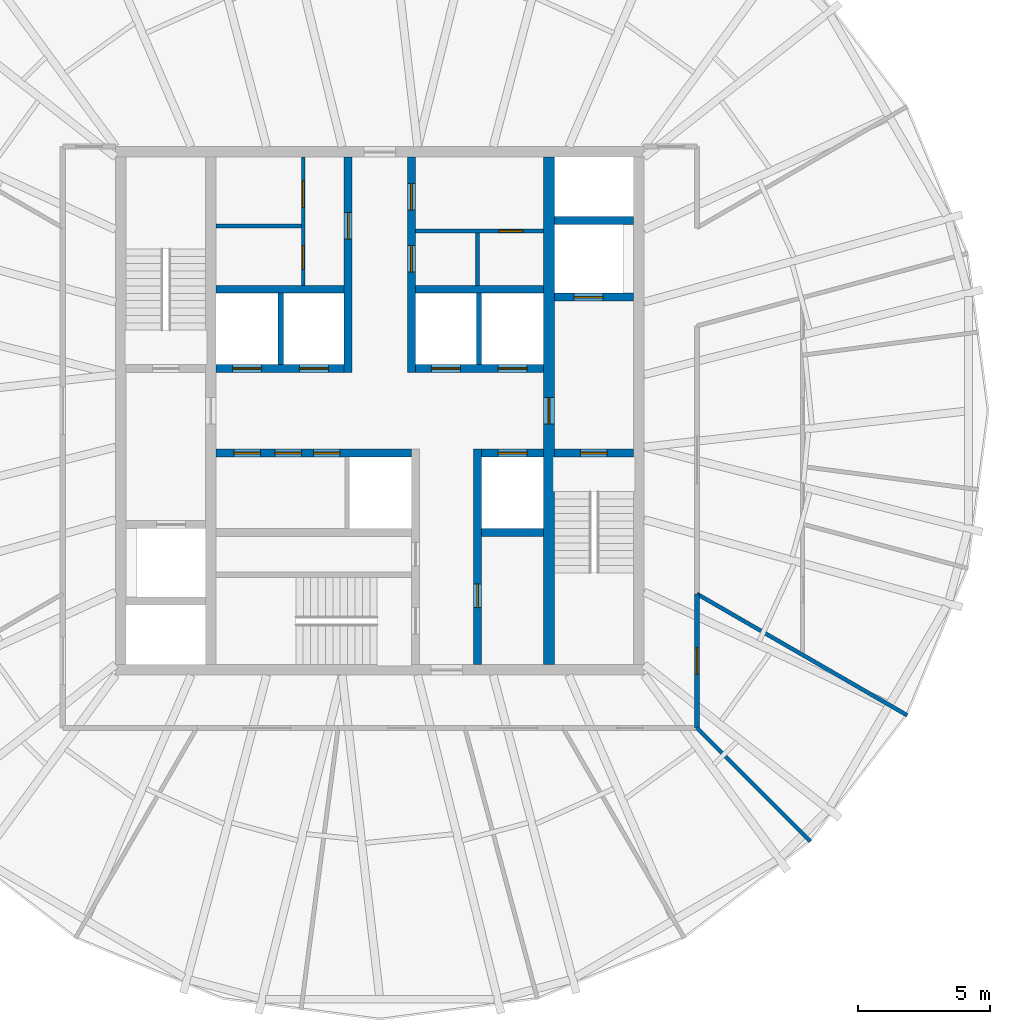
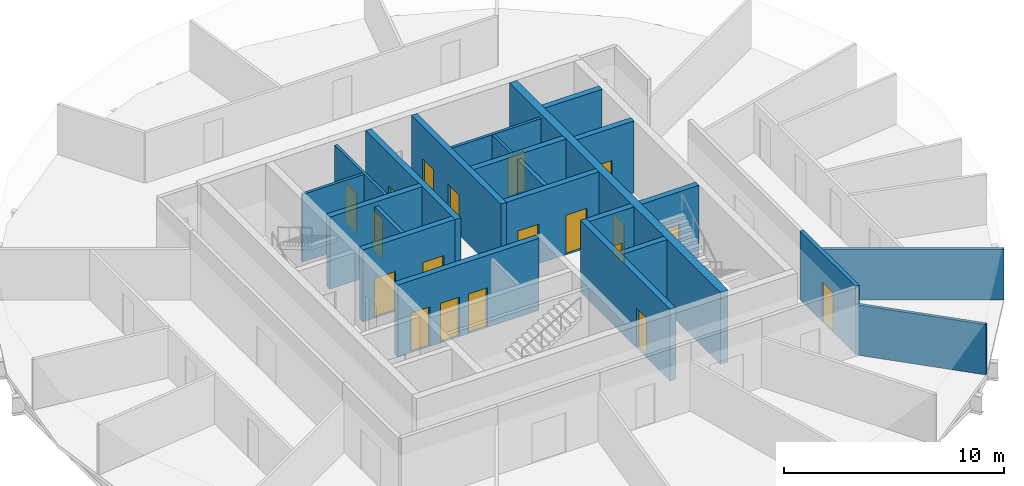
# One storey, part 4 of 6: 23 walls, 19 doors, 19 openings.
"""IFC4 building model written with IfcOpenShell, lengths in metres."""

import ifcopenshell
import ifcopenshell.guid

model = None  # the IFC model being written
_history = None  # IfcOwnerHistory: only IFC2X3 demands one
_inside = {}  # id of a spatial element -> (the spatial element, [elements in it])
_under = {}  # id of a project, library or spatial element -> (it, [spatial elements below it])
_declared = {}  # id of a project -> (the project, [libraries it declares])
_typed = {}  # id of a type object -> (the type object, [elements of that type])
_made_of = {}  # id of a material, layer set ... -> (it, [elements and type objects made of it])


def new_model(schema):
    """Start an empty IFC model of exactly this schema.

    Asked for "IFC4X3", IfcOpenShell would pick the latest addendum, in which some entities
    have other attributes; the version numbers below select the first issue.
    IFC2X3 requires an IfcOwnerHistory on every rooted entity: one is made here for all.
    """
    global model, _history
    if schema == "IFC4X3":
        model = ifcopenshell.file(schema_version=(4, 3, 0, 0))
    else:
        model = ifcopenshell.file(schema=schema)
    _inside.clear()
    _under.clear()
    _declared.clear()
    _typed.clear()
    _made_of.clear()
    _history = None
    if model.schema == "IFC2X3":
        org = make("IfcOrganization", Name="unknown")
        user = make(
            "IfcPersonAndOrganization",
            ThePerson=make("IfcPerson", FamilyName="unknown"),
            TheOrganization=org,
        )
        app = make(
            "IfcApplication",
            ApplicationDeveloper=org,
            Version="unknown",
            ApplicationFullName="unknown",
            ApplicationIdentifier="unknown",
        )
        _history = make(
            "IfcOwnerHistory",
            OwningUser=user,
            OwningApplication=app,
            ChangeAction="ADDED",
            CreationDate=0,
        )
    return model


def make(cls, **values):
    """One entity of the class cls with the attributes given. An attribute that is None is left unset."""
    return model.create_entity(
        cls, **{name: value for name, value in values.items() if value is not None}
    )


def rooted(cls, **values):
    """An entity with a GlobalId (a new one), such as an element, a storey or a relation."""
    return make(cls, GlobalId=ifcopenshell.guid.new(), OwnerHistory=_history, **values)


def si_unit(unit_type, name, prefix=None):
    """IfcSIUnit, for example si_unit("LENGTHUNIT", "METRE", prefix="MILLI")."""
    return make("IfcSIUnit", UnitType=unit_type, Prefix=prefix, Name=name)


def assignment(units):
    """IfcUnitAssignment: the units of a project."""
    return None if units is None else make("IfcUnitAssignment", Units=units)


def point(xyz):
    """IfcCartesianPoint."""
    return None if xyz is None else make("IfcCartesianPoint", Coordinates=xyz)


def direction(xyz):
    """IfcDirection."""
    return None if xyz is None else make("IfcDirection", DirectionRatios=xyz)


def frame(location, z_axis=None, x_axis=None):
    """IfcAxis2Placement3D, a coordinate frame: its origin and axes. An axis left out is left unset."""
    return make(
        "IfcAxis2Placement3D",
        Location=point(location),
        Axis=direction(z_axis),
        RefDirection=direction(x_axis),
    )


def frame_2d(location, x_axis=None):
    """IfcAxis2Placement2D, a coordinate frame in the plane: its origin and x axis."""
    return make(
        "IfcAxis2Placement2D", Location=point(location), RefDirection=direction(x_axis)
    )


def origin():
    """The frame at (0, 0, 0) with its axes left unset."""
    return frame((0.0, 0.0, 0.0))


def place(relative_to, where):
    """IfcLocalPlacement: puts the frame where relative to a parent placement (None: the world)."""
    return make(
        "IfcLocalPlacement", PlacementRelTo=relative_to, RelativePlacement=where
    )


def context(
    kind, dimensions, precision=None, world=None, true_north=None, identifier=None
):
    """IfcGeometricRepresentationContext, for example the 3D "Model" context."""
    return make(
        "IfcGeometricRepresentationContext",
        ContextIdentifier=identifier,
        ContextType=kind,
        CoordinateSpaceDimension=dimensions,
        Precision=precision,
        WorldCoordinateSystem=world,
        TrueNorth=true_north,
    )


def subcontext(parent, identifier, kind, view, scale=None):
    """IfcGeometricRepresentationSubContext, for example "Body" below "Model"."""
    return make(
        "IfcGeometricRepresentationSubContext",
        ContextIdentifier=identifier,
        ContextType=kind,
        ParentContext=parent,
        TargetScale=scale,
        TargetView=view,
    )


def project(units=None, contexts=None):
    """IfcProject with its units and contexts."""
    return rooted(
        "IfcProject",
        Name="project",
        RepresentationContexts=contexts,
        UnitsInContext=assignment(units),
    )


def spatial(cls, under=None, at=None, **own):
    """A site, building, storey or space (cls), placed at a placement, below another one or the project."""
    s = rooted(cls, ObjectPlacement=at, **own)
    if under is not None:
        _under.setdefault(under.id(), (under, []))[1].append(s)
    return s


def profile(cls, at=None, kind="AREA", **sizes):
    """A parametric profile (cls). Its sizes go by their IFC names, for example OverallWidth=200.0."""
    return make(cls, ProfileType=kind, Position=at, **sizes)


def rectangle(**sizes):
    """IfcRectangleProfileDef."""
    return profile("IfcRectangleProfileDef", **sizes)


def extrude(swept, where, along, depth):
    """IfcExtrudedAreaSolid: the profile swept, set in the frame where, extruded along a direction by depth."""
    return make(
        "IfcExtrudedAreaSolid",
        SweptArea=swept,
        Position=where,
        ExtrudedDirection=direction(along),
        Depth=depth,
    )


def shape(context_of_items, identifier, shape_type, items):
    """IfcShapeRepresentation: the items that make up one representation, for example the "Body"."""
    return make(
        "IfcShapeRepresentation",
        ContextOfItems=context_of_items,
        RepresentationIdentifier=identifier,
        RepresentationType=shape_type,
        Items=items,
    )


def material(Name=None, Category=None):
    """IfcMaterial."""
    return make("IfcMaterial", Name=Name, Category=Category)


def layer(
    of_material, thickness, ventilated=None, Name=None, Category=None, Priority=None
):
    """IfcMaterialLayer: one layer of a wall or slab, of a material (None: an air gap)."""
    return make(
        "IfcMaterialLayer",
        Material=of_material,
        LayerThickness=thickness,
        IsVentilated=ventilated,
        Name=Name,
        Category=Category,
        Priority=Priority,
    )


def layer_set(layers, Name=None):
    """IfcMaterialLayerSet."""
    return make("IfcMaterialLayerSet", MaterialLayers=layers, LayerSetName=Name)


def made_of(thing, what):
    """Note that an element or type object is made of a material, layer set ...; save() writes the relation."""
    if what is not None:
        _made_of.setdefault(what.id(), (what, []))[1].append(thing)
    return thing


def type_object(cls, material=None, **own):
    """A type object (cls), such as IfcWallType, which elements share."""
    return made_of(rooted(cls, **own), material)


def element(
    cls,
    number,
    at=None,
    inside=None,
    cuts=None,
    type_object=None,
    material=None,
    context=None,
    identifier="Body",
    shape_type=None,
    held_by="IfcProductDefinitionShape",
    body=None,
    shapes=None,
    **own,
):
    """One element of the class cls, such as IfcWall. Its Tag is "e" and its number.

    at: its placement. inside: the storey or other place that contains it. cuts: it is an
    opening in that element (IfcRelVoidsElement). A single representation is given by context,
    identifier, shape_type and body (its items); several are given by shapes. held_by: the class
    of the entity that holds the representations. save() writes the other relations.
    """
    e = rooted(cls, Tag="e%d" % number, ObjectPlacement=at, **own)
    if body is not None:
        shapes = [shape(context, identifier, shape_type, body)]
    if shapes is not None:
        e.Representation = make(held_by, Representations=shapes)
    if inside is not None:
        _inside.setdefault(inside.id(), (inside, []))[1].append(e)
    if cuts is not None:
        rooted(
            "IfcRelVoidsElement", RelatingBuildingElement=cuts, RelatedOpeningElement=e
        )
    if type_object is not None:
        _typed.setdefault(type_object.id(), (type_object, []))[1].append(e)
    return made_of(e, material)


def fill(opening, filler):
    """IfcRelFillsElement: the door or window that sits in an opening."""
    return rooted(
        "IfcRelFillsElement",
        RelatingOpeningElement=opening,
        RelatedBuildingElement=filler,
    )


def aggregate(whole, parts):
    """IfcRelAggregates: a whole, such as a stair, and the parts it consists of."""
    return rooted("IfcRelAggregates", RelatingObject=whole, RelatedObjects=parts)


def save(model, path):
    """Write the relations noted so far, then the file.

    IfcRelAggregates (storeys below a building ...), IfcRelContainedInSpatialStructure (elements
    in a storey), IfcRelDefinesByType, IfcRelAssociatesMaterial and IfcRelDeclares: one each for
    every whole, place, type object, material and project.
    """
    for whole, parts in _under.values():
        aggregate(whole, parts)
    for where, things in _inside.values():
        rooted(
            "IfcRelContainedInSpatialStructure",
            RelatedElements=things,
            RelatingStructure=where,
        )
    for kind, things in _typed.values():
        rooted("IfcRelDefinesByType", RelatedObjects=things, RelatingType=kind)
    for what, things in _made_of.values():
        rooted("IfcRelAssociatesMaterial", RelatedObjects=things, RelatingMaterial=what)
    for by, libraries in _declared.values():
        rooted("IfcRelDeclares", RelatingContext=by, RelatedDefinitions=libraries)
    model.write(path)


model = new_model("IFC4")

# Units and contexts
model_context = context("Model", 3, precision=1e-05, world=origin(), true_north=direction((0.0, 1.0)))
body_context = subcontext(model_context, "Body", "Model", "MODEL_VIEW")
ifc_project = project(units=[si_unit("LENGTHUNIT", "METRE"), si_unit("AREAUNIT", "SQUARE_METRE"), si_unit("VOLUMEUNIT", "CUBIC_METRE"), si_unit("PLANEANGLEUNIT", "RADIAN"), si_unit("MASSUNIT", "GRAM", prefix="KILO")], contexts=[model_context])

# Site, building, storey
site_placement = place(None, origin())
site = spatial("IfcSite", under=ifc_project, at=site_placement, CompositionType="ELEMENT")
building_placement = place(site_placement, origin())
building = spatial("IfcBuilding", under=site, at=building_placement, Name="Golbaran Civic Tower", CompositionType="ELEMENT")
storey_placement = place(building_placement, frame((0.0, 0.0, 228.0)))
storey = spatial("IfcBuildingStorey", under=building, at=storey_placement, Name="L55", CompositionType="ELEMENT", Elevation=228.0)

# Wall, opening, door
ifc_material_1 = material(Name="Concrete block", Category="concrete")
ifc_layer_1 = layer(ifc_material_1, 0.14990234375, Name="Concrete block")
ifc_layer_set_1 = layer_set([ifc_layer_1], Name="Concrete block")
wall_type_1 = type_object("IfcWallType", Name="BLOCKWORK PARTITION 150", PredefinedType="PARTITIONING", material=ifc_layer_set_1)
wall_1_placement = place(storey_placement, frame((1.35009765625, 6.800048828125, 0.0), z_axis=(0.0, 0.0, 1.0), x_axis=(1.0, 0.0, 0.0)))
wall_1 = element("IfcWall", 1, at=wall_1_placement, inside=storey, type_object=wall_type_1, Name="Toilet block partition TN1 L55", PredefinedType="PARTITIONING", context=body_context, shape_type="SweptSolid", body=[
    extrude(rectangle(XDim=4.849853515625, YDim=0.14990234375, at=frame_2d((2.4248046875, 0.0))), origin(), (0.0, 0.0, 1.0), 3.75),
])
opening_1_placement = place(wall_1_placement, frame((3.14990234375, 0.0, 0.0)))
opening_1 = element("IfcOpeningElement", 2, at=opening_1_placement, cuts=wall_1, Name="Opening L55.CLN", PredefinedType="OPENING", context=body_context, shape_type="SweptSolid", body=[
    extrude(rectangle(XDim=0.89990234375, YDim=2.199951171875, at=frame_2d((0.449951171875, 1.10009765625))), frame((0.0, 0.0849609375, 0.0), z_axis=(0.0, -1.0, 0.0), x_axis=(1.0, 0.0, 0.0)), (0.0, 0.0, 1.0), 0.169921875),
])
ifc_material_2 = material(Name="Timber door set in steel frame", Category="steel")
door_type_1 = type_object("IfcDoorType", Name="RISER DOOR 900x2200", OperationType="SINGLE_SWING_LEFT", PredefinedType="DOOR", material=ifc_material_2)
door_1_placement = place(opening_1_placement, origin())
door_1 = element("IfcDoor", 3, at=door_1_placement, inside=storey, type_object=door_type_1, Name="Floor Store door", OperationType="SINGLE_SWING_RIGHT", OverallHeight=2.199951171875, OverallWidth=0.89990234375, PredefinedType="DOOR", context=body_context, shape_type="SweptSolid", body=[
    extrude(rectangle(XDim=0.89990234375, YDim=2.199951171875, at=frame_2d((0.449951171875, 1.10009765625))), frame((0.0, 0.02490234375, 0.0), z_axis=(0.0, -1.0, 0.0), x_axis=(1.0, 0.0, 0.0)), (0.0, 0.0, 1.0), 0.050048828125),
])
fill(opening_1, door_1)

# Wall
wall_2_placement = place(storey_placement, frame((3.699951171875, 4.75, 0.0), z_axis=(0.0, 0.0, 1.0), x_axis=(0.0, 1.0, 0.0)))
element("IfcWall", 4, at=wall_2_placement, inside=storey, type_object=wall_type_1, Name="Toilet block partition TN2 L55", PredefinedType="PARTITIONING", context=body_context, shape_type="SweptSolid", body=[
    extrude(rectangle(XDim=1.97509765625, YDim=0.14990234375, at=frame_2d((0.987548828125, 0.0))), origin(), (0.0, 0.0, 1.0), 3.75),
])

# Wall, opening, door
ifc_material_3 = material(Name="Concrete C50/60", Category="concrete")
ifc_layer_2 = layer(ifc_material_3, 0.39990234375, Name="Concrete C50/60")
ifc_layer_set_2 = layer_set([ifc_layer_2], Name="Concrete C50/60")
wall_type_2 = type_object("IfcWallType", Name="CORE WALL CONCRETE 400", PredefinedType="SOLIDWALL", material=ifc_layer_set_2)
wall_3_placement = place(storey_placement, frame((6.39990234375, 9.60009765625, 0.0), z_axis=(0.0, 0.0, 1.0), x_axis=(0.0, -1.0, 0.0)))
wall_3 = element("IfcWall", 5, at=wall_3_placement, inside=storey, type_object=wall_type_2, Name="Core wall IE L55", PredefinedType="SOLIDWALL", context=body_context, shape_type="SweptSolid", body=[
    extrude(rectangle(XDim=19.2001953125, YDim=0.39990234375, at=frame_2d((9.60009765625, 0.0))), origin(), (0.0, 0.0, 1.0), 4.0),
])
opening_2_placement = place(wall_3_placement, frame((9.10009765625, 0.0, 0.0)))
opening_2 = element("IfcOpeningElement", 6, at=opening_2_placement, cuts=wall_3, Name="Opening L55.FL2", PredefinedType="OPENING", context=body_context, shape_type="SweptSolid", body=[
    extrude(rectangle(XDim=1.0, YDim=2.199951171875, at=frame_2d((0.5, 1.10009765625))), frame((0.0, 0.2099609375, 0.0), z_axis=(0.0, -1.0, 0.0), x_axis=(1.0, 0.0, 0.0)), (0.0, 0.0, 1.0), 0.419921875),
])
door_type_2 = type_object("IfcDoorType", Name="STAIR DOOR 1000x2200", OperationType="SINGLE_SWING_LEFT", PredefinedType="DOOR", material=ifc_material_2)
door_2_placement = place(opening_2_placement, origin())
door_2 = element("IfcDoor", 7, at=door_2_placement, inside=storey, type_object=door_type_2, Name="Fire-fighting lobby FL2 door", OperationType="SINGLE_SWING_RIGHT", OverallHeight=2.199951171875, OverallWidth=1.0, PredefinedType="DOOR", context=body_context, shape_type="SweptSolid", body=[
    extrude(rectangle(XDim=1.0, YDim=2.199951171875, at=frame_2d((0.5, 1.10009765625))), frame((0.0, 0.02490234375, 0.0), z_axis=(0.0, -1.0, 0.0), x_axis=(1.0, 0.0, 0.0)), (0.0, 0.0, 1.0), 0.050048828125),
])
fill(opening_2, door_2)

ifc_material_4 = material(Name="Gypsum board on steel studs, fire-rated", Category="steel")
ifc_layer_3 = layer(ifc_material_4, 0.199951171875, Name="Gypsum board on steel studs, fire-rated")
ifc_layer_set_3 = layer_set([ifc_layer_3], Name="Gypsum board on steel studs, fire-rated")
wall_type_3 = type_object("IfcWallType", Name="CORRIDOR WALL 200", PredefinedType="PARTITIONING", material=ifc_layer_set_3)
wall_4_placement = place(storey_placement, frame((12.0, -12.0, 0.0), z_axis=(0.0, 0.0, 1.0), x_axis=(0.0, 1.0, 0.0)))
wall_4 = element("IfcWall", 8, at=wall_4_placement, inside=storey, type_object=wall_type_3, Name="Corridor wall L55", PredefinedType="PARTITIONING", context=body_context, shape_type="SweptSolid", body=[
    extrude(rectangle(XDim=5.07177734375, YDim=0.199951171875, at=frame_2d((2.535888671875, 0.0))), origin(), (0.0, 0.0, 1.0), 3.800048828125),
])
opening_3_placement = place(wall_4_placement, frame((2.035888671875, 0.0, 0.0)))
opening_3 = element("IfcOpeningElement", 9, at=opening_3_placement, cuts=wall_4, Name="Opening L55.19", PredefinedType="OPENING", context=body_context, shape_type="SweptSolid", body=[
    extrude(rectangle(XDim=1.0, YDim=2.199951171875, at=frame_2d((0.5, 1.10009765625))), frame((0.0, 0.10986328125, 0.0), z_axis=(0.0, -1.0, 0.0), x_axis=(1.0, 0.0, 0.0)), (0.0, 0.0, 1.0), 0.219970703125),
])
door_type_3 = type_object("IfcDoorType", Name="OFFICE DOOR 1000x2200", OperationType="SINGLE_SWING_LEFT", PredefinedType="DOOR", material=ifc_material_2)
door_3_placement = place(opening_3_placement, origin())
door_3 = element("IfcDoor", 10, at=door_3_placement, inside=storey, type_object=door_type_3, Name="Store door L55", OperationType="SINGLE_SWING_LEFT", OverallHeight=2.199951171875, OverallWidth=1.0, PredefinedType="DOOR", context=body_context, shape_type="SweptSolid", body=[
    extrude(rectangle(XDim=1.0, YDim=2.199951171875, at=frame_2d((0.5, 1.10009765625))), frame((0.0, 0.02490234375, 0.0), z_axis=(0.0, -1.0, 0.0), x_axis=(1.0, 0.0, 0.0)), (0.0, 0.0, 1.0), 0.050048828125),
])
fill(opening_3, door_3)

# Walls
ifc_layer_4 = layer(ifc_material_1, 0.199951171875, Name="Concrete block")
ifc_layer_set_4 = layer_set([ifc_layer_4], Name="Concrete block")
wall_type_4 = type_object("IfcWallType", Name="LIFT SEPARATOR WALL 200", PredefinedType="SOLIDWALL", material=ifc_layer_set_4)
for number, where, z_axis, x_axis, name in (
    (11, (-3.75, 1.75, 0.0), (0.0, 0.0, 1.0), (0.0, 1.0, 0.0), "Core partition SNW L55"),
    (12, (3.75, 1.75, 0.0), (0.0, 0.0, 1.0), (0.0, 1.0, 0.0), "Core partition SNE L55"),
):
    element("IfcWall", number, at=place(storey_placement, frame(where, z_axis=z_axis, x_axis=x_axis)), inside=storey, type_object=wall_type_4, Name=name, PredefinedType="SOLIDWALL", context=body_context, shape_type="SweptSolid", body=[
        extrude(rectangle(XDim=2.699951171875, YDim=0.199951171875, at=frame_2d((1.35009765625, 0.0))), origin(), (0.0, 0.0, 1.0), 3.75),
    ])
ifc_material_5 = material(Name="Gypsum board on steel studs", Category="steel")
ifc_layer_5 = layer(ifc_material_5, 0.14990234375, Name="Gypsum board on steel studs")
ifc_layer_set_5 = layer_set([ifc_layer_5], Name="Gypsum board on steel studs")
wall_type_5 = type_object("IfcWallType", Name="OFFICE PARTITION 150", PredefinedType="PARTITIONING", material=ifc_layer_set_5)
wall_5_placement = place(storey_placement, frame((12.0, -6.92822265625, 0.0), z_axis=(0.0, 0.0, 1.0), x_axis=(0.866021843099, -0.500006167237, 0.0)))
element("IfcWall", 13, at=wall_5_placement, inside=storey, type_object=wall_type_5, Name="Partition 330 L55", PredefinedType="PARTITIONING", context=body_context, shape_type="SweptSolid", body=[
    extrude(rectangle(XDim=9.18701171875, YDim=0.14990234375, at=frame_2d((4.593505859375, 0.0))), origin(), (0.0, 0.0, 1.0), 2.7900390625),
])
wall_6_placement = place(storey_placement, frame((12.0, -12.0, 0.0), z_axis=(0.0, 0.0, 1.0), x_axis=(0.707106781187, -0.707106781187, 0.0)))
element("IfcWall", 14, at=wall_6_placement, inside=storey, type_object=wall_type_5, Name="Partition 315 L55", PredefinedType="PARTITIONING", context=body_context, shape_type="SweptSolid", body=[
    extrude(rectangle(XDim=6.072509765625, YDim=0.14990234375, at=frame_2d((3.0361328125, 0.0))), origin(), (0.0, 0.0, 1.0), 2.7900390625),
])

# Wall, openings, doors
ifc_layer_6 = layer(ifc_material_3, 0.300048828125, Name="Concrete C50/60")
ifc_layer_set_6 = layer_set([ifc_layer_6], Name="Concrete C50/60")
wall_type_6 = type_object("IfcWallType", Name="SHAFT WALL CONCRETE 300", PredefinedType="SOLIDWALL", material=ifc_layer_set_6)
wall_7_placement = place(storey_placement, frame((-6.199951171875, 1.60009765625, 0.0), z_axis=(0.0, 0.0, 1.0), x_axis=(1.0, 0.0, 0.0)))
wall_7 = element("IfcWall", 15, at=wall_7_placement, inside=storey, type_object=wall_type_6, Name="Core wall FNW L55", PredefinedType="SOLIDWALL", context=body_context, shape_type="SweptSolid", body=[
    extrude(rectangle(XDim=4.849853515625, YDim=0.300048828125, at=frame_2d((2.4248046875, 0.0))), origin(), (0.0, 0.0, 1.0), 4.0),
])
opening_4_placement = place(wall_7_placement, frame((0.625, 0.0, 0.0)))
opening_4 = element("IfcOpeningElement", 16, at=opening_4_placement, cuts=wall_7, Name="Opening L55.LD-Z1T", PredefinedType="OPENING", context=body_context, shape_type="SweptSolid", body=[
    extrude(rectangle(XDim=1.10009765625, YDim=2.199951171875, at=frame_2d((0.550048828125, 1.10009765625))), frame((0.0, 0.159912109375, 0.0), z_axis=(0.0, -1.0, 0.0), x_axis=(1.0, 0.0, 0.0)), (0.0, 0.0, 1.0), 0.320068359375),
])
opening_5_placement = place(wall_7_placement, frame((3.14990234375, 0.0, 0.0)))
opening_5 = element("IfcOpeningElement", 17, at=opening_5_placement, cuts=wall_7, Name="Opening L55.LD-Z2T", PredefinedType="OPENING", context=body_context, shape_type="SweptSolid", body=[
    extrude(rectangle(XDim=1.10009765625, YDim=2.199951171875, at=frame_2d((0.550048828125, 1.10009765625))), frame((0.0, 0.159912109375, 0.0), z_axis=(0.0, -1.0, 0.0), x_axis=(1.0, 0.0, 0.0)), (0.0, 0.0, 1.0), 0.320068359375),
])
ifc_material_6 = material(Name="Stainless steel", Category="steel")
door_type_4 = type_object("IfcDoorType", Name="LIFT LANDING DOOR 1100x2200", OperationType="SLIDING_TO_LEFT", PredefinedType="DOOR", material=ifc_material_6)
door_4_placement = place(opening_4_placement, origin())
door_4 = element("IfcDoor", 18, at=door_4_placement, inside=storey, type_object=door_type_4, Name="Lift landing door Z1T", OperationType="SLIDING_TO_LEFT", OverallHeight=2.199951171875, OverallWidth=1.10009765625, PredefinedType="DOOR", context=body_context, shape_type="SweptSolid", body=[
    extrude(rectangle(XDim=1.10009765625, YDim=2.199951171875, at=frame_2d((0.550048828125, 1.10009765625))), frame((0.0, 0.02490234375, 0.0), z_axis=(0.0, -1.0, 0.0), x_axis=(1.0, 0.0, 0.0)), (0.0, 0.0, 1.0), 0.050048828125),
])
fill(opening_4, door_4)
door_5_placement = place(opening_5_placement, origin())
door_5 = element("IfcDoor", 19, at=door_5_placement, inside=storey, type_object=door_type_4, Name="Lift landing door Z2T", OperationType="SLIDING_TO_LEFT", OverallHeight=2.199951171875, OverallWidth=1.10009765625, PredefinedType="DOOR", context=body_context, shape_type="SweptSolid", body=[
    extrude(rectangle(XDim=1.10009765625, YDim=2.199951171875, at=frame_2d((0.550048828125, 1.10009765625))), frame((0.0, 0.02490234375, 0.0), z_axis=(0.0, -1.0, 0.0), x_axis=(1.0, 0.0, 0.0)), (0.0, 0.0, 1.0), 0.050048828125),
])
fill(opening_5, door_5)

wall_8_placement = place(storey_placement, frame((1.35009765625, 1.60009765625, 0.0), z_axis=(0.0, 0.0, 1.0), x_axis=(1.0, 0.0, 0.0)))
wall_8 = element("IfcWall", 20, at=wall_8_placement, inside=storey, type_object=wall_type_6, Name="Core wall FNE L55", PredefinedType="SOLIDWALL", context=body_context, shape_type="SweptSolid", body=[
    extrude(rectangle(XDim=4.849853515625, YDim=0.300048828125, at=frame_2d((2.4248046875, 0.0))), origin(), (0.0, 0.0, 1.0), 4.0),
])
opening_6_placement = place(wall_8_placement, frame((0.60009765625, 0.0, 0.0)))
opening_6 = element("IfcOpeningElement", 21, at=opening_6_placement, cuts=wall_8, Name="Opening L55.LD-Z3T", PredefinedType="OPENING", context=body_context, shape_type="SweptSolid", body=[
    extrude(rectangle(XDim=1.10009765625, YDim=2.199951171875, at=frame_2d((0.550048828125, 1.10009765625))), frame((0.0, 0.159912109375, 0.0), z_axis=(0.0, -1.0, 0.0), x_axis=(1.0, 0.0, 0.0)), (0.0, 0.0, 1.0), 0.320068359375),
])
opening_7_placement = place(wall_8_placement, frame((3.125, 0.0, 0.0)))
opening_7 = element("IfcOpeningElement", 22, at=opening_7_placement, cuts=wall_8, Name="Opening L55.LD-Z4T", PredefinedType="OPENING", context=body_context, shape_type="SweptSolid", body=[
    extrude(rectangle(XDim=1.10009765625, YDim=2.199951171875, at=frame_2d((0.550048828125, 1.10009765625))), frame((0.0, 0.159912109375, 0.0), z_axis=(0.0, -1.0, 0.0), x_axis=(1.0, 0.0, 0.0)), (0.0, 0.0, 1.0), 0.320068359375),
])
door_6_placement = place(opening_6_placement, origin())
door_6 = element("IfcDoor", 23, at=door_6_placement, inside=storey, type_object=door_type_4, Name="Lift landing door Z3T", OperationType="SLIDING_TO_LEFT", OverallHeight=2.199951171875, OverallWidth=1.10009765625, PredefinedType="DOOR", context=body_context, shape_type="SweptSolid", body=[
    extrude(rectangle(XDim=1.10009765625, YDim=2.199951171875, at=frame_2d((0.550048828125, 1.10009765625))), frame((0.0, 0.02490234375, 0.0), z_axis=(0.0, -1.0, 0.0), x_axis=(1.0, 0.0, 0.0)), (0.0, 0.0, 1.0), 0.050048828125),
])
fill(opening_6, door_6)
door_7_placement = place(opening_7_placement, origin())
door_7 = element("IfcDoor", 24, at=door_7_placement, inside=storey, type_object=door_type_4, Name="Lift landing door Z4T", OperationType="SLIDING_TO_LEFT", OverallHeight=2.199951171875, OverallWidth=1.10009765625, PredefinedType="DOOR", context=body_context, shape_type="SweptSolid", body=[
    extrude(rectangle(XDim=1.10009765625, YDim=2.199951171875, at=frame_2d((0.550048828125, 1.10009765625))), frame((0.0, 0.02490234375, 0.0), z_axis=(0.0, -1.0, 0.0), x_axis=(1.0, 0.0, 0.0)), (0.0, 0.0, 1.0), 0.050048828125),
])
fill(opening_7, door_7)

# Walls
for number, where, z_axis, x_axis, name in (
    (25, (-6.199951171875, 4.60009765625, 0.0), (0.0, 0.0, 1.0), (1.0, 0.0, 0.0), "Core wall BNW L55"),
    (26, (1.35009765625, 4.60009765625, 0.0), (0.0, 0.0, 1.0), (1.0, 0.0, 0.0), "Core wall BNE L55"),
):
    element("IfcWall", number, at=place(storey_placement, frame(where, z_axis=z_axis, x_axis=x_axis)), inside=storey, type_object=wall_type_6, Name=name, PredefinedType="SOLIDWALL", context=body_context, shape_type="SweptSolid", body=[
        extrude(rectangle(XDim=4.849853515625, YDim=0.300048828125, at=frame_2d((2.4248046875, 0.0))), origin(), (0.0, 0.0, 1.0), 4.0),
    ])

# Wall, opening, door
wall_9_placement = place(storey_placement, frame((-1.199951171875, 1.449951171875, 0.0), z_axis=(0.0, 0.0, 1.0), x_axis=(0.0, 1.0, 0.0)))
wall_9 = element("IfcWall", 27, at=wall_9_placement, inside=storey, type_object=wall_type_6, Name="Core wall PNW L55", PredefinedType="SOLIDWALL", context=body_context, shape_type="SweptSolid", body=[
    extrude(rectangle(XDim=8.150146484375, YDim=0.300048828125, at=frame_2d((4.0751953125, 0.0))), origin(), (0.0, 0.0, 1.0), 4.0),
])
opening_8_placement = place(wall_9_placement, frame((5.050048828125, 0.0, 0.0)))
opening_8 = element("IfcOpeningElement", 28, at=opening_8_placement, cuts=wall_9, Name="Opening L55.WCM", PredefinedType="OPENING", context=body_context, shape_type="SweptSolid", body=[
    extrude(rectangle(XDim=1.0, YDim=2.199951171875, at=frame_2d((0.5, 1.10009765625))), frame((0.0, 0.159912109375, 0.0), z_axis=(0.0, -1.0, 0.0), x_axis=(1.0, 0.0, 0.0)), (0.0, 0.0, 1.0), 0.320068359375),
])
door_type_5 = type_object("IfcDoorType", Name="TOILET DOOR 1000x2200", OperationType="SINGLE_SWING_LEFT", PredefinedType="DOOR", material=ifc_material_2)
door_8_placement = place(opening_8_placement, origin())
door_8 = element("IfcDoor", 29, at=door_8_placement, inside=storey, type_object=door_type_5, Name="North-west toilet block door", OperationType="SINGLE_SWING_RIGHT", OverallHeight=2.199951171875, OverallWidth=1.0, PredefinedType="DOOR", context=body_context, shape_type="SweptSolid", body=[
    extrude(rectangle(XDim=1.0, YDim=2.199951171875, at=frame_2d((0.5, 1.10009765625))), frame((0.0, 0.02490234375, 0.0), z_axis=(0.0, -1.0, 0.0), x_axis=(1.0, 0.0, 0.0)), (0.0, 0.0, 1.0), 0.050048828125),
])
fill(opening_8, door_8)

# Wall, openings, doors
wall_10_placement = place(storey_placement, frame((1.199951171875, 1.449951171875, 0.0), z_axis=(0.0, 0.0, 1.0), x_axis=(0.0, 1.0, 0.0)))
wall_10 = element("IfcWall", 30, at=wall_10_placement, inside=storey, type_object=wall_type_6, Name="Core wall PNE L55", PredefinedType="SOLIDWALL", context=body_context, shape_type="SweptSolid", body=[
    extrude(rectangle(XDim=8.150146484375, YDim=0.300048828125, at=frame_2d((4.0751953125, 0.0))), origin(), (0.0, 0.0, 1.0), 4.0),
])
opening_9_placement = place(wall_10_placement, frame((3.800048828125, 0.0, 0.0)))
opening_9 = element("IfcOpeningElement", 31, at=opening_9_placement, cuts=wall_10, Name="Opening L55.WCA", PredefinedType="OPENING", context=body_context, shape_type="SweptSolid", body=[
    extrude(rectangle(XDim=1.0, YDim=2.199951171875, at=frame_2d((0.5, 1.10009765625))), frame((0.0, 0.159912109375, 0.0), z_axis=(0.0, -1.0, 0.0), x_axis=(1.0, 0.0, 0.0)), (0.0, 0.0, 1.0), 0.320068359375),
])
opening_10_placement = place(wall_10_placement, frame((6.14990234375, 0.0, 0.0)))
opening_10 = element("IfcOpeningElement", 32, at=opening_10_placement, cuts=wall_10, Name="Opening L55.WCF", PredefinedType="OPENING", context=body_context, shape_type="SweptSolid", body=[
    extrude(rectangle(XDim=1.0, YDim=2.199951171875, at=frame_2d((0.5, 1.10009765625))), frame((0.0, 0.159912109375, 0.0), z_axis=(0.0, -1.0, 0.0), x_axis=(1.0, 0.0, 0.0)), (0.0, 0.0, 1.0), 0.320068359375),
])
door_9_placement = place(opening_9_placement, origin())
door_9 = element("IfcDoor", 33, at=door_9_placement, inside=storey, type_object=door_type_5, Name="Accessible WC door", OperationType="SINGLE_SWING_RIGHT", OverallHeight=2.199951171875, OverallWidth=1.0, PredefinedType="DOOR", context=body_context, shape_type="SweptSolid", body=[
    extrude(rectangle(XDim=1.0, YDim=2.199951171875, at=frame_2d((0.5, 1.10009765625))), frame((0.0, 0.02490234375, 0.0), z_axis=(0.0, -1.0, 0.0), x_axis=(1.0, 0.0, 0.0)), (0.0, 0.0, 1.0), 0.050048828125),
])
fill(opening_9, door_9)
door_10_placement = place(opening_10_placement, origin())
door_10 = element("IfcDoor", 34, at=door_10_placement, inside=storey, type_object=door_type_5, Name="North-east toilet block door", OperationType="SINGLE_SWING_RIGHT", OverallHeight=2.199951171875, OverallWidth=1.0, PredefinedType="DOOR", context=body_context, shape_type="SweptSolid", body=[
    extrude(rectangle(XDim=1.0, YDim=2.199951171875, at=frame_2d((0.5, 1.10009765625))), frame((0.0, 0.02490234375, 0.0), z_axis=(0.0, -1.0, 0.0), x_axis=(1.0, 0.0, 0.0)), (0.0, 0.0, 1.0), 0.050048828125),
])
fill(opening_10, door_10)

wall_11_placement = place(storey_placement, frame((-6.199951171875, -1.60009765625, 0.0), z_axis=(0.0, 0.0, 1.0), x_axis=(1.0, 0.0, 0.0)))
wall_11 = element("IfcWall", 35, at=wall_11_placement, inside=storey, type_object=wall_type_6, Name="Core wall FSW L55", PredefinedType="SOLIDWALL", context=body_context, shape_type="SweptSolid", body=[
    extrude(rectangle(XDim=7.39990234375, YDim=0.300048828125, at=frame_2d((3.699951171875, 0.0))), origin(), (0.0, 0.0, 1.0), 4.0),
])
opening_11_placement = place(wall_11_placement, frame((0.675048828125, 0.0, 0.0)))
opening_11 = element("IfcOpeningElement", 36, at=opening_11_placement, cuts=wall_11, Name="Opening L55.H1R", PredefinedType="OPENING", context=body_context, shape_type="SweptSolid", body=[
    extrude(rectangle(XDim=1.0, YDim=2.199951171875, at=frame_2d((0.5, 1.10009765625))), frame((0.0, 0.159912109375, 0.0), z_axis=(0.0, -1.0, 0.0), x_axis=(1.0, 0.0, 0.0)), (0.0, 0.0, 1.0), 0.320068359375),
])
opening_12_placement = place(wall_11_placement, frame((2.22509765625, 0.0, 0.0)))
opening_12 = element("IfcOpeningElement", 37, at=opening_12_placement, cuts=wall_11, Name="Opening L55.H2R", PredefinedType="OPENING", context=body_context, shape_type="SweptSolid", body=[
    extrude(rectangle(XDim=1.0, YDim=2.199951171875, at=frame_2d((0.5, 1.10009765625))), frame((0.0, 0.159912109375, 0.0), z_axis=(0.0, -1.0, 0.0), x_axis=(1.0, 0.0, 0.0)), (0.0, 0.0, 1.0), 0.320068359375),
])
opening_13_placement = place(wall_11_placement, frame((3.695068359375, 0.0, 0.0)))
opening_13 = element("IfcOpeningElement", 38, at=opening_13_placement, cuts=wall_11, Name="Opening L55.H3R", PredefinedType="OPENING", context=body_context, shape_type="SweptSolid", body=[
    extrude(rectangle(XDim=1.0, YDim=2.199951171875, at=frame_2d((0.5, 1.10009765625))), frame((0.0, 0.159912109375, 0.0), z_axis=(0.0, -1.0, 0.0), x_axis=(1.0, 0.0, 0.0)), (0.0, 0.0, 1.0), 0.320068359375),
])
door_type_6 = type_object("IfcDoorType", Name="CORE ROOM DOOR 1000x2200", OperationType="SINGLE_SWING_LEFT", PredefinedType="DOOR", material=ifc_material_2)
door_11_placement = place(opening_11_placement, origin())
door_11 = element("IfcDoor", 39, at=door_11_placement, inside=storey, type_object=door_type_6, Name="Staff Break Room door", OperationType="SINGLE_SWING_LEFT", OverallHeight=2.199951171875, OverallWidth=1.0, PredefinedType="DOOR", context=body_context, shape_type="SweptSolid", body=[
    extrude(rectangle(XDim=1.0, YDim=2.199951171875, at=frame_2d((0.5, 1.10009765625))), frame((0.0, 0.02490234375, 0.0), z_axis=(0.0, -1.0, 0.0), x_axis=(1.0, 0.0, 0.0)), (0.0, 0.0, 1.0), 0.050048828125),
])
fill(opening_11, door_11)
door_12_placement = place(opening_12_placement, origin())
door_12 = element("IfcDoor", 40, at=door_12_placement, inside=storey, type_object=door_type_6, Name="Staff Break Room door", OperationType="SINGLE_SWING_LEFT", OverallHeight=2.199951171875, OverallWidth=1.0, PredefinedType="DOOR", context=body_context, shape_type="SweptSolid", body=[
    extrude(rectangle(XDim=1.0, YDim=2.199951171875, at=frame_2d((0.5, 1.10009765625))), frame((0.0, 0.02490234375, 0.0), z_axis=(0.0, -1.0, 0.0), x_axis=(1.0, 0.0, 0.0)), (0.0, 0.0, 1.0), 0.050048828125),
])
fill(opening_12, door_12)
door_13_placement = place(opening_13_placement, origin())
door_13 = element("IfcDoor", 41, at=door_13_placement, inside=storey, type_object=door_type_6, Name="Staff Break Room door", OperationType="SINGLE_SWING_RIGHT", OverallHeight=2.199951171875, OverallWidth=1.0, PredefinedType="DOOR", context=body_context, shape_type="SweptSolid", body=[
    extrude(rectangle(XDim=1.0, YDim=2.199951171875, at=frame_2d((0.5, 1.10009765625))), frame((0.0, 0.02490234375, 0.0), z_axis=(0.0, -1.0, 0.0), x_axis=(1.0, 0.0, 0.0)), (0.0, 0.0, 1.0), 0.050048828125),
])
fill(opening_13, door_13)

# Wall, opening, door
wall_12_placement = place(storey_placement, frame((3.85009765625, -1.60009765625, 0.0), z_axis=(0.0, 0.0, 1.0), x_axis=(1.0, 0.0, 0.0)))
wall_12 = element("IfcWall", 42, at=wall_12_placement, inside=storey, type_object=wall_type_6, Name="Core wall FSE L55", PredefinedType="SOLIDWALL", context=body_context, shape_type="SweptSolid", body=[
    extrude(rectangle(XDim=2.349853515625, YDim=0.300048828125, at=frame_2d((1.1748046875, 0.0))), origin(), (0.0, 0.0, 1.0), 4.0),
])
opening_14_placement = place(wall_12_placement, frame((0.625, 0.0, 0.0)))
opening_14 = element("IfcOpeningElement", 43, at=opening_14_placement, cuts=wall_12, Name="Opening L55.LD-V1", PredefinedType="OPENING", context=body_context, shape_type="SweptSolid", body=[
    extrude(rectangle(XDim=1.10009765625, YDim=2.199951171875, at=frame_2d((0.550048828125, 1.10009765625))), frame((0.0, 0.159912109375, 0.0), z_axis=(0.0, -1.0, 0.0), x_axis=(1.0, 0.0, 0.0)), (0.0, 0.0, 1.0), 0.320068359375),
])
door_14_placement = place(opening_14_placement, origin())
door_14 = element("IfcDoor", 44, at=door_14_placement, inside=storey, type_object=door_type_4, Name="Lift landing door V1", OperationType="SLIDING_TO_LEFT", OverallHeight=2.199951171875, OverallWidth=1.10009765625, PredefinedType="DOOR", context=body_context, shape_type="SweptSolid", body=[
    extrude(rectangle(XDim=1.10009765625, YDim=2.199951171875, at=frame_2d((0.550048828125, 1.10009765625))), frame((0.0, 0.02490234375, 0.0), z_axis=(0.0, -1.0, 0.0), x_axis=(1.0, 0.0, 0.0)), (0.0, 0.0, 1.0), 0.050048828125),
])
fill(opening_14, door_14)

# Wall
wall_13_placement = place(storey_placement, frame((3.85009765625, -4.60009765625, 0.0), z_axis=(0.0, 0.0, 1.0), x_axis=(1.0, 0.0, 0.0)))
element("IfcWall", 45, at=wall_13_placement, inside=storey, type_object=wall_type_6, Name="Core wall BSE L55", PredefinedType="SOLIDWALL", context=body_context, shape_type="SweptSolid", body=[
    extrude(rectangle(XDim=2.349853515625, YDim=0.300048828125, at=frame_2d((1.1748046875, 0.0))), origin(), (0.0, 0.0, 1.0), 4.0),
])

# Wall, opening, door
wall_14_placement = place(storey_placement, frame((3.699951171875, -1.449951171875, 0.0), z_axis=(0.0, 0.0, 1.0), x_axis=(0.0, -1.0, 0.0)))
wall_14 = element("IfcWall", 46, at=wall_14_placement, inside=storey, type_object=wall_type_6, Name="Core wall PSE L55", PredefinedType="SOLIDWALL", context=body_context, shape_type="SweptSolid", body=[
    extrude(rectangle(XDim=8.150146484375, YDim=0.300048828125, at=frame_2d((4.0751953125, 0.0))), origin(), (0.0, 0.0, 1.0), 4.0),
])
opening_15_placement = place(wall_14_placement, frame((5.10009765625, 0.0, 0.0)))
opening_15 = element("IfcOpeningElement", 47, at=opening_15_placement, cuts=wall_14, Name="Opening L55.RM", PredefinedType="OPENING", context=body_context, shape_type="SweptSolid", body=[
    extrude(rectangle(XDim=0.89990234375, YDim=2.199951171875, at=frame_2d((0.449951171875, 1.10009765625))), frame((0.0, 0.159912109375, 0.0), z_axis=(0.0, -1.0, 0.0), x_axis=(1.0, 0.0, 0.0)), (0.0, 0.0, 1.0), 0.320068359375),
])
door_15_placement = place(opening_15_placement, origin())
door_15 = element("IfcDoor", 48, at=door_15_placement, inside=storey, type_object=door_type_1, Name="Mechanical riser door", OperationType="SINGLE_SWING_RIGHT", OverallHeight=2.199951171875, OverallWidth=0.89990234375, PredefinedType="DOOR", context=body_context, shape_type="SweptSolid", body=[
    extrude(rectangle(XDim=0.89990234375, YDim=2.199951171875, at=frame_2d((0.449951171875, 1.10009765625))), frame((0.0, 0.02490234375, 0.0), z_axis=(0.0, -1.0, 0.0), x_axis=(1.0, 0.0, 0.0)), (0.0, 0.0, 1.0), 0.050048828125),
])
fill(opening_15, door_15)

wall_15_placement = place(storey_placement, frame((6.60009765625, -1.60009765625, 0.0), z_axis=(0.0, 0.0, 1.0), x_axis=(1.0, 0.0, 0.0)))
wall_15 = element("IfcWall", 49, at=wall_15_placement, inside=storey, type_object=wall_type_6, Name="Core wall XE1 L55", PredefinedType="SOLIDWALL", context=body_context, shape_type="SweptSolid", body=[
    extrude(rectangle(XDim=3.0, YDim=0.300048828125, at=frame_2d((1.5, 0.0))), origin(), (0.0, 0.0, 1.0), 4.0),
])
opening_16_placement = place(wall_15_placement, frame((1.0, 0.0, 0.0)))
opening_16 = element("IfcOpeningElement", 50, at=opening_16_placement, cuts=wall_15, Name="Opening L55.S2", PredefinedType="OPENING", context=body_context, shape_type="SweptSolid", body=[
    extrude(rectangle(XDim=1.0, YDim=2.199951171875, at=frame_2d((0.5, 1.10009765625))), frame((0.0, 0.159912109375, 0.0), z_axis=(0.0, -1.0, 0.0), x_axis=(1.0, 0.0, 0.0)), (0.0, 0.0, 1.0), 0.320068359375),
])
door_16_placement = place(opening_16_placement, origin())
door_16 = element("IfcDoor", 51, at=door_16_placement, inside=storey, type_object=door_type_2, Name="Stair S2 door", OperationType="SINGLE_SWING_LEFT", OverallHeight=2.199951171875, OverallWidth=1.0, PredefinedType="DOOR", context=body_context, shape_type="SweptSolid", body=[
    extrude(rectangle(XDim=1.0, YDim=2.199951171875, at=frame_2d((0.5, 1.10009765625))), frame((0.0, 0.02490234375, 0.0), z_axis=(0.0, -1.0, 0.0), x_axis=(1.0, 0.0, 0.0)), (0.0, 0.0, 1.0), 0.050048828125),
])
fill(opening_16, door_16)

wall_16_placement = place(storey_placement, frame((6.60009765625, 4.300048828125, 0.0), z_axis=(0.0, 0.0, 1.0), x_axis=(1.0, 0.0, 0.0)))
wall_16 = element("IfcWall", 52, at=wall_16_placement, inside=storey, type_object=wall_type_6, Name="Core wall XE2 L55", PredefinedType="SOLIDWALL", context=body_context, shape_type="SweptSolid", body=[
    extrude(rectangle(XDim=3.0, YDim=0.300048828125, at=frame_2d((1.5, 0.0))), origin(), (0.0, 0.0, 1.0), 4.0),
])
opening_17_placement = place(wall_16_placement, frame((0.75, 0.0, 0.0)))
opening_17 = element("IfcOpeningElement", 53, at=opening_17_placement, cuts=wall_16, Name="Opening L55.LD-F2", PredefinedType="OPENING", context=body_context, shape_type="SweptSolid", body=[
    extrude(rectangle(XDim=1.10009765625, YDim=2.199951171875, at=frame_2d((0.550048828125, 1.10009765625))), frame((0.0, 0.159912109375, 0.0), z_axis=(0.0, -1.0, 0.0), x_axis=(1.0, 0.0, 0.0)), (0.0, 0.0, 1.0), 0.320068359375),
])
door_17_placement = place(opening_17_placement, origin())
door_17 = element("IfcDoor", 54, at=door_17_placement, inside=storey, type_object=door_type_4, Name="Lift landing door F2", OperationType="SLIDING_TO_LEFT", OverallHeight=2.199951171875, OverallWidth=1.10009765625, PredefinedType="DOOR", context=body_context, shape_type="SweptSolid", body=[
    extrude(rectangle(XDim=1.10009765625, YDim=2.199951171875, at=frame_2d((0.550048828125, 1.10009765625))), frame((0.0, 0.02490234375, 0.0), z_axis=(0.0, -1.0, 0.0), x_axis=(1.0, 0.0, 0.0)), (0.0, 0.0, 1.0), 0.050048828125),
])
fill(opening_17, door_17)

# Wall
wall_17_placement = place(storey_placement, frame((6.60009765625, 7.199951171875, 0.0), z_axis=(0.0, 0.0, 1.0), x_axis=(1.0, 0.0, 0.0)))
element("IfcWall", 55, at=wall_17_placement, inside=storey, type_object=wall_type_6, Name="Core wall XE3 L55", PredefinedType="SOLIDWALL", context=body_context, shape_type="SweptSolid", body=[
    extrude(rectangle(XDim=3.0, YDim=0.300048828125, at=frame_2d((1.5, 0.0))), origin(), (0.0, 0.0, 1.0), 4.0),
])

# Wall, openings, doors
ifc_material_7 = material(Name="Moisture-resistant gypsum board on steel studs", Category="steel")
ifc_layer_7 = layer(ifc_material_7, 0.14990234375, Name="Moisture-resistant gypsum board on steel studs")
ifc_layer_set_7 = layer_set([ifc_layer_7], Name="Moisture-resistant gypsum board on steel studs")
wall_type_7 = type_object("IfcWallType", Name="TOILET BLOCK PARTITION 150", PredefinedType="PARTITIONING", material=ifc_layer_set_7)
wall_18_placement = place(storey_placement, frame((-2.89990234375, 4.75, 0.0), z_axis=(0.0, 0.0, 1.0), x_axis=(0.0, 1.0, 0.0)))
wall_18 = element("IfcWall", 56, at=wall_18_placement, inside=storey, type_object=wall_type_7, Name="Toilet block partition MWL L55", PredefinedType="PARTITIONING", context=body_context, shape_type="SweptSolid", body=[
    extrude(rectangle(XDim=4.85009765625, YDim=0.14990234375, at=frame_2d((2.425048828125, 0.0))), origin(), (0.0, 0.0, 1.0), 3.75),
])
opening_18_placement = place(wall_18_placement, frame((2.949951171875, 0.0, 0.0)))
opening_18 = element("IfcOpeningElement", 57, at=opening_18_placement, cuts=wall_18, Name="Opening L55.20", PredefinedType="OPENING", context=body_context, shape_type="SweptSolid", body=[
    extrude(rectangle(XDim=1.0, YDim=2.199951171875, at=frame_2d((0.5, 1.10009765625))), frame((0.0, 0.0849609375, 0.0), z_axis=(0.0, -1.0, 0.0), x_axis=(1.0, 0.0, 0.0)), (0.0, 0.0, 1.0), 0.169921875),
])
opening_19_placement = place(wall_18_placement, frame((0.60009765625, 0.0, 0.0)))
opening_19 = element("IfcOpeningElement", 58, at=opening_19_placement, cuts=wall_18, Name="Opening L55.01", PredefinedType="OPENING", context=body_context, shape_type="SweptSolid", body=[
    extrude(rectangle(XDim=0.89990234375, YDim=2.199951171875, at=frame_2d((0.449951171875, 1.10009765625))), frame((0.0, 0.0849609375, 0.0), z_axis=(0.0, -1.0, 0.0), x_axis=(1.0, 0.0, 0.0)), (0.0, 0.0, 1.0), 0.169921875),
])
door_18_placement = place(opening_19_placement, origin())
door_18 = element("IfcDoor", 59, at=door_18_placement, inside=storey, type_object=door_type_1, Name="IT and comms room door", OperationType="SINGLE_SWING_LEFT", OverallHeight=2.199951171875, OverallWidth=0.89990234375, PredefinedType="DOOR", context=body_context, shape_type="SweptSolid", body=[
    extrude(rectangle(XDim=0.89990234375, YDim=2.199951171875, at=frame_2d((0.449951171875, 1.10009765625))), frame((0.0, 0.02490234375, 0.0), z_axis=(0.0, -1.0, 0.0), x_axis=(1.0, 0.0, 0.0)), (0.0, 0.0, 1.0), 0.050048828125),
])
fill(opening_19, door_18)
door_19_placement = place(opening_18_placement, origin())
door_19 = element("IfcDoor", 60, at=door_19_placement, inside=storey, type_object=door_type_5, Name="Female WC door", OperationType="SINGLE_SWING_RIGHT", OverallHeight=2.199951171875, OverallWidth=1.0, PredefinedType="DOOR", context=body_context, shape_type="SweptSolid", body=[
    extrude(rectangle(XDim=1.0, YDim=2.199951171875, at=frame_2d((0.5, 1.10009765625))), frame((0.0, 0.02490234375, 0.0), z_axis=(0.0, -1.0, 0.0), x_axis=(1.0, 0.0, 0.0)), (0.0, 0.0, 1.0), 0.050048828125),
])
fill(opening_18, door_19)

# Wall
wall_19_placement = place(storey_placement, frame((-6.199951171875, 7.0, 0.0), z_axis=(0.0, 0.0, 1.0), x_axis=(1.0, 0.0, 0.0)))
element("IfcWall", 61, at=wall_19_placement, inside=storey, type_object=wall_type_7, Name="Toilet block partition MWX L55", PredefinedType="PARTITIONING", context=body_context, shape_type="SweptSolid", body=[
    extrude(rectangle(XDim=3.224853515625, YDim=0.14990234375, at=frame_2d((1.6123046875, 0.0))), origin(), (0.0, 0.0, 1.0), 3.75),
])

save(model, "model.ifc")
